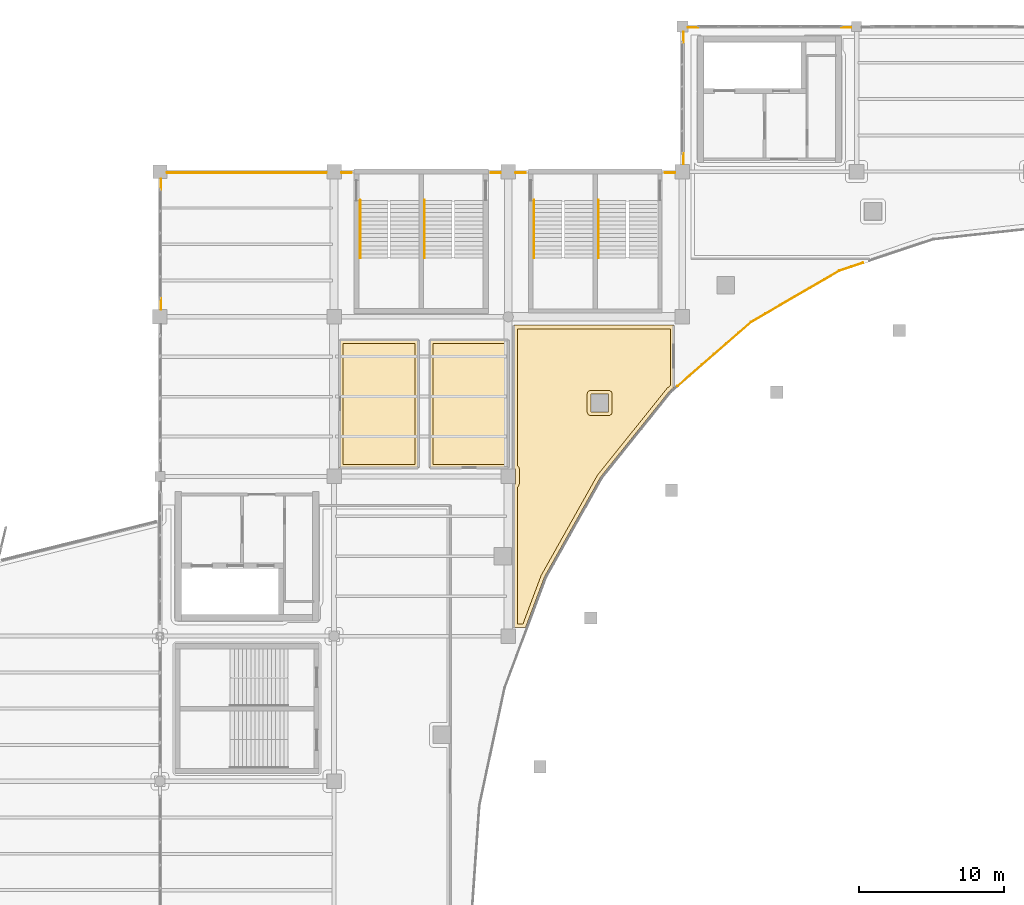
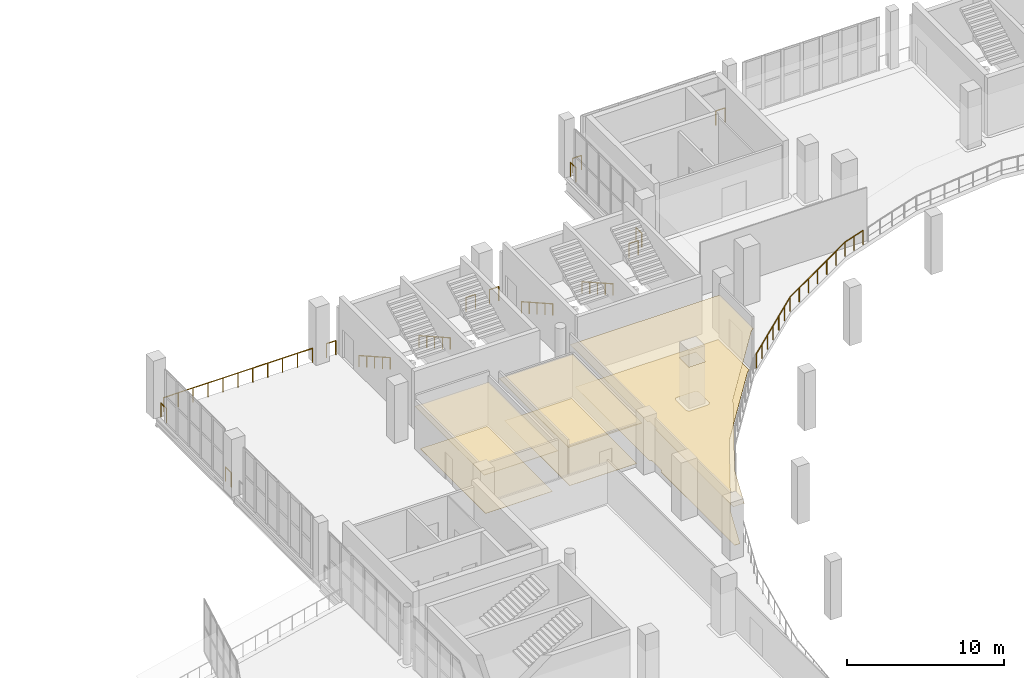
# One storey, part 102 of 108: 16 railings, 6 coverings.
"""IFC4 building model written with IfcOpenShell, lengths in metres."""

from ifc_helpers import new_model, si_unit, direction, frame, origin, origin_2d, place, context, subcontext, project, spatial, polyline, circle, outline, extrude, material, layer, layer_set, type_object, element, save


model = new_model("IFC4")

# Units and contexts
model_context = context("Model", 3, precision=1e-05, world=origin(), true_north=direction((0.0, 1.0)))
body_context = subcontext(model_context, "Body", "Model", "MODEL_VIEW")
ifc_project = project(units=[si_unit("LENGTHUNIT", "METRE"), si_unit("AREAUNIT", "SQUARE_METRE"), si_unit("VOLUMEUNIT", "CUBIC_METRE"), si_unit("PLANEANGLEUNIT", "RADIAN"), si_unit("MASSUNIT", "GRAM", prefix="KILO")], contexts=[model_context])

# Site, building, storey
site_placement = place(None, origin())
site = spatial("IfcSite", under=ifc_project, at=site_placement, CompositionType="ELEMENT")
building_placement = place(site_placement, origin())
building = spatial("IfcBuilding", under=site, at=building_placement, Name="Brinegate Civic Arena", CompositionType="ELEMENT")
storey_placement = place(building_placement, frame((0.0, 0.0, 10.199951171875)))
storey = spatial("IfcBuildingStorey", under=building, at=storey_placement, Name="L02", CompositionType="ELEMENT", Elevation=10.199951171875)

# Coverings
ifc_material_1 = material(Name="Acoustic perforated aluminium ceiling", Category="aluminium")
ifc_layer_1 = layer(ifc_material_1, 0.034912109375, Name="Acoustic perforated aluminium ceiling")
ifc_layer_set_1 = layer_set([ifc_layer_1], Name="Acoustic perforated aluminium ceiling")
covering_type_1 = type_object("IfcCoveringType", Name="CEILING-ACOUSTIC-35", PredefinedType="CEILING", material=ifc_layer_set_1)
covering_1_placement = place(storey_placement, frame((0.0, 0.0, 3.215087890625)))
element("IfcCovering", 1, at=covering_1_placement, inside=storey, type_object=covering_type_1, Name="Acoustic Ceiling L02-008", PredefinedType="CEILING", context=body_context, shape_type="SweptSolid", body=[
    extrude(outline(polyline([(65.803955078125, 102.419921875), (65.805908203125, 102.4189453125), (65.80810546875, 102.41796875), (65.80908203125, 102.41796875), (65.81103515625, 102.4169921875), (65.81298828125, 102.4150390625), (65.81396484375, 102.4140625), (65.81494140625, 102.4130859375), (65.81689453125, 102.410888671875), (65.818115234375, 102.408935546875), (65.818115234375, 102.407958984375), (65.819091796875, 102.406005859375), (65.820068359375, 102.404052734375), (65.820068359375, 102.402099609375), (65.820068359375, 102.39990234375), (65.820068359375, 93.60009765625), (65.820068359375, 93.597900390625), (65.820068359375, 93.595947265625), (65.819091796875, 93.593994140625), (65.818115234375, 93.592041015625), (65.818115234375, 93.591064453125), (65.81689453125, 93.589111328125), (65.81494140625, 93.5869140625), (65.81396484375, 93.5859375), (65.81298828125, 93.5849609375), (65.81103515625, 93.5830078125), (65.80908203125, 93.58203125), (65.80810546875, 93.58203125), (65.805908203125, 93.5810546875), (65.803955078125, 93.580078125), (65.802001953125, 93.580078125), (65.800048828125, 93.580078125), (60.39990234375, 93.580078125), (60.39794921875, 93.580078125), (60.39599609375, 93.580078125), (60.39404296875, 93.5810546875), (60.39208984375, 93.58203125), (60.39111328125, 93.58203125), (60.388916015625, 93.5830078125), (60.386962890625, 93.5849609375), (60.385986328125, 93.5859375), (60.385009765625, 93.5869140625), (60.383056640625, 93.589111328125), (60.382080078125, 93.591064453125), (60.382080078125, 93.592041015625), (60.381103515625, 93.593994140625), (60.3798828125, 93.595947265625), (60.3798828125, 93.597900390625), (60.3798828125, 93.60009765625), (60.3798828125, 102.39990234375), (60.3798828125, 102.402099609375), (60.3798828125, 102.404052734375), (60.381103515625, 102.406005859375), (60.382080078125, 102.407958984375), (60.382080078125, 102.408935546875), (60.383056640625, 102.410888671875), (60.385009765625, 102.4130859375), (60.385986328125, 102.4140625), (60.386962890625, 102.4150390625), (60.388916015625, 102.4169921875), (60.39111328125, 102.41796875), (60.39208984375, 102.41796875), (60.39404296875, 102.4189453125), (60.39599609375, 102.419921875), (60.39794921875, 102.419921875), (60.39990234375, 102.419921875), (65.800048828125, 102.419921875), (65.802001953125, 102.419921875), (65.803955078125, 102.419921875)])), origin(), (0.0, 0.0, 1.0), 0.034912109375),
])
ifc_layer_2 = layer(ifc_material_1, 0.044921875, Name="Acoustic perforated aluminium ceiling")
ifc_layer_set_2 = layer_set([ifc_layer_2], Name="Acoustic perforated aluminium ceiling")
covering_type_2 = type_object("IfcCoveringType", Name="CEILING-BAFFLE-45", PredefinedType="CEILING", material=ifc_layer_set_2)
covering_2_placement = place(storey_placement, frame((0.0, 0.0, 3.205078125)))
element("IfcCovering", 2, at=covering_2_placement, inside=storey, type_object=covering_type_2, Name="Acoustic Ceiling L02-009", PredefinedType="CEILING", context=body_context, shape_type="SweptSolid", body=[
    extrude(outline(polyline([(72.00390625, 102.419921875), (72.006103515625, 102.4189453125), (72.008056640625, 102.41796875), (72.009033203125, 102.41796875), (72.010986328125, 102.4169921875), (72.012939453125, 102.4150390625), (72.013916015625, 102.4140625), (72.014892578125, 102.4130859375), (72.01708984375, 102.410888671875), (72.01806640625, 102.408935546875), (72.01806640625, 102.407958984375), (72.01904296875, 102.406005859375), (72.02001953125, 102.404052734375), (72.02001953125, 102.402099609375), (72.02001953125, 102.39990234375), (72.02001953125, 93.60009765625), (72.02001953125, 93.597900390625), (72.02001953125, 93.595947265625), (72.01904296875, 93.593994140625), (72.01806640625, 93.592041015625), (72.01806640625, 93.591064453125), (72.01708984375, 93.589111328125), (72.014892578125, 93.5869140625), (72.013916015625, 93.5859375), (72.012939453125, 93.5849609375), (72.010986328125, 93.5830078125), (72.009033203125, 93.58203125), (72.008056640625, 93.58203125), (72.006103515625, 93.5810546875), (72.00390625, 93.580078125), (72.001953125, 93.580078125), (72.0, 93.580078125), (66.60009765625, 93.580078125), (66.597900390625, 93.580078125), (66.595947265625, 93.580078125), (66.593994140625, 93.5810546875), (66.592041015625, 93.58203125), (66.591064453125, 93.58203125), (66.589111328125, 93.5830078125), (66.5869140625, 93.5849609375), (66.5859375, 93.5859375), (66.5849609375, 93.5869140625), (66.5830078125, 93.589111328125), (66.58203125, 93.591064453125), (66.58203125, 93.592041015625), (66.5810546875, 93.593994140625), (66.580078125, 93.595947265625), (66.580078125, 93.597900390625), (66.580078125, 93.60009765625), (66.580078125, 102.39990234375), (66.580078125, 102.402099609375), (66.580078125, 102.404052734375), (66.5810546875, 102.406005859375), (66.58203125, 102.407958984375), (66.58203125, 102.408935546875), (66.5830078125, 102.410888671875), (66.5849609375, 102.4130859375), (66.5859375, 102.4140625), (66.5869140625, 102.4150390625), (66.589111328125, 102.4169921875), (66.591064453125, 102.41796875), (66.592041015625, 102.41796875), (66.593994140625, 102.4189453125), (66.595947265625, 102.419921875), (66.597900390625, 102.419921875), (66.60009765625, 102.419921875), (72.0, 102.419921875), (72.001953125, 102.419921875), (72.00390625, 102.419921875)])), origin(), (0.0, 0.0, 1.0), 0.044921875),
])
ifc_layer_3 = layer(ifc_material_1, 0.01806640625, Name="Acoustic perforated aluminium ceiling")
ifc_layer_set_3 = layer_set([ifc_layer_3], Name="Acoustic perforated aluminium ceiling")
covering_type_3 = type_object("IfcCoveringType", Name="CEILING-MOISTURE-18", PredefinedType="CEILING", material=ifc_layer_set_3)
covering_3_placement = place(storey_placement, frame((0.0, 0.0, 3.23193359375)))
element("IfcCovering", 3, at=covering_3_placement, inside=storey, type_object=covering_type_3, Name="Acoustic Ceiling L02-010", PredefinedType="CEILING", context=body_context, shape_type="SweptSolid", body=[
    extrude(outline(polyline([(72.3798828125, 103.404052734375), (72.381103515625, 103.406005859375), (72.382080078125, 103.407958984375), (72.382080078125, 103.408935546875), (72.383056640625, 103.410888671875), (72.385009765625, 103.4130859375), (72.385986328125, 103.4140625), (72.386962890625, 103.4150390625), (72.388916015625, 103.4169921875), (72.39111328125, 103.41796875), (72.39208984375, 103.41796875), (72.39404296875, 103.4189453125), (72.39599609375, 103.419921875), (72.39794921875, 103.419921875), (72.39990234375, 103.419921875), (83.39990234375, 103.419921875), (83.402099609375, 103.419921875), (83.404052734375, 103.419921875), (83.406005859375, 103.4189453125), (83.407958984375, 103.41796875), (83.408935546875, 103.41796875), (83.410888671875, 103.4169921875), (83.4130859375, 103.4150390625), (83.4140625, 103.4140625), (83.4150390625, 103.4130859375), (83.4169921875, 103.410888671875), (83.41796875, 103.408935546875), (83.41796875, 103.407958984375), (83.4189453125, 103.406005859375), (83.419921875, 103.404052734375), (83.419921875, 103.402099609375), (83.419921875, 103.39990234375), (83.419921875, 99.1640625), (83.419921875, 99.162109375), (83.419921875, 99.159912109375), (83.4189453125, 99.157958984375), (83.4189453125, 99.156982421875), (83.41796875, 99.155029296875), (83.4169921875, 99.153076171875), (83.416015625, 99.152099609375), (83.4150390625, 99.14990234375), (83.4130859375, 99.14892578125), (83.135009765625, 98.906982421875), (83.112060546875, 98.882080078125), (78.35791015625, 92.955078125), (74.4951171875, 86.075927734375), (73.19189453125, 82.593017578125), (73.19091796875, 82.591064453125), (73.18994140625, 82.589111328125), (73.18896484375, 82.587890625), (73.18701171875, 82.5859375), (73.18603515625, 82.5849609375), (73.18408203125, 82.583984375), (73.18310546875, 82.58203125), (73.180908203125, 82.58203125), (73.178955078125, 82.5810546875), (73.177001953125, 82.580078125), (73.175048828125, 82.580078125), (73.173095703125, 82.580078125), (72.39990234375, 82.580078125), (72.39794921875, 82.580078125), (72.39599609375, 82.580078125), (72.39404296875, 82.5810546875), (72.39208984375, 82.58203125), (72.39111328125, 82.58203125), (72.388916015625, 82.5830078125), (72.386962890625, 82.5849609375), (72.385986328125, 82.5859375), (72.385009765625, 82.5869140625), (72.383056640625, 82.589111328125), (72.382080078125, 82.591064453125), (72.382080078125, 82.592041015625), (72.381103515625, 82.593994140625), (72.3798828125, 82.595947265625), (72.3798828125, 82.597900390625), (72.3798828125, 82.60009765625), (72.3798828125, 92.489990234375), (72.510009765625, 92.489990234375), (72.510009765625, 93.510009765625), (72.3798828125, 93.510009765625), (72.3798828125, 103.39990234375), (72.3798828125, 103.402099609375), (72.3798828125, 103.404052734375)]), holes=[polyline([(77.69189453125, 98.672119140625), (77.69189453125, 97.451904296875), (78.912109375, 97.451904296875), (78.912109375, 98.672119140625), (77.69189453125, 98.672119140625)])]), origin(), (0.0, 0.0, 1.0), 0.01806640625),
])
ifc_material_2 = material(Name="Polished coral terrazzo flooring")
ifc_layer_4 = layer(ifc_material_2, 0.013916015625, Name="Polished coral terrazzo flooring")
ifc_layer_set_4 = layer_set([ifc_layer_4], Name="Polished coral terrazzo flooring")
covering_type_4 = type_object("IfcCoveringType", Name="FLOORING-ACOUSTIC-14", PredefinedType="FLOORING", material=ifc_layer_set_4)
covering_4_placement = place(storey_placement, origin())
element("IfcCovering", 4, at=covering_4_placement, inside=storey, type_object=covering_type_4, Name="Flooring L02-010", PredefinedType="FLOORING", context=body_context, shape_type="SweptSolid", body=[
    extrude(outline(polyline([(72.6298828125, 82.830078125), (72.6298828125, 92.27099609375), (72.64892578125, 92.281982421875), (72.6689453125, 92.297119140625), (72.68701171875, 92.31298828125), (72.702880859375, 92.3310546875), (72.718017578125, 92.35107421875), (72.72998046875, 92.3720703125), (72.740966796875, 92.39404296875), (72.7490234375, 92.4169921875), (72.7548828125, 92.44091796875), (72.759033203125, 92.465087890625), (72.760009765625, 92.489990234375), (72.760009765625, 93.510009765625), (72.759033203125, 93.534912109375), (72.7548828125, 93.55908203125), (72.7490234375, 93.5830078125), (72.740966796875, 93.60595703125), (72.72998046875, 93.6279296875), (72.718017578125, 93.64892578125), (72.702880859375, 93.6689453125), (72.68701171875, 93.68701171875), (72.6689453125, 93.702880859375), (72.64892578125, 93.718017578125), (72.6298828125, 93.72900390625), (72.6298828125, 103.169921875), (83.169921875, 103.169921875), (83.169921875, 99.26904296875), (82.970947265625, 99.094970703125), (82.950927734375, 99.075927734375), (82.927978515625, 99.052001953125), (82.9169921875, 99.0380859375), (78.1630859375, 93.111083984375), (78.14990234375, 93.094970703125), (78.139892578125, 93.076904296875), (74.277099609375, 86.197998046875), (74.26806640625, 86.180908203125), (74.260986328125, 86.1630859375), (73.013916015625, 82.830078125), (72.6298828125, 82.830078125)]), holes=[polyline([(77.69189453125, 98.922119140625), (77.6669921875, 98.9208984375), (77.64306640625, 98.9169921875), (77.618896484375, 98.910888671875), (77.595947265625, 98.903076171875), (77.573974609375, 98.89208984375), (77.552978515625, 98.8798828125), (77.532958984375, 98.864990234375), (77.514892578125, 98.84912109375), (77.4990234375, 98.8310546875), (77.48388671875, 98.81103515625), (77.471923828125, 98.7900390625), (77.4609375, 98.76806640625), (77.452880859375, 98.7451171875), (77.447021484375, 98.720947265625), (77.443115234375, 98.697021484375), (77.44189453125, 98.672119140625), (77.44189453125, 97.451904296875), (77.443115234375, 97.427001953125), (77.447021484375, 97.403076171875), (77.452880859375, 97.37890625), (77.4609375, 97.35595703125), (77.471923828125, 97.333984375), (77.48388671875, 97.31298828125), (77.4990234375, 97.29296875), (77.514892578125, 97.27490234375), (77.532958984375, 97.259033203125), (77.552978515625, 97.243896484375), (77.573974609375, 97.23193359375), (77.595947265625, 97.220947265625), (77.618896484375, 97.212890625), (77.64306640625, 97.20703125), (77.6669921875, 97.202880859375), (77.69189453125, 97.201904296875), (78.912109375, 97.201904296875), (78.93701171875, 97.202880859375), (78.9609375, 97.20703125), (78.985107421875, 97.212890625), (79.008056640625, 97.220947265625), (79.030029296875, 97.23193359375), (79.051025390625, 97.243896484375), (79.071044921875, 97.259033203125), (79.089111328125, 97.27490234375), (79.10498046875, 97.29296875), (79.1201171875, 97.31298828125), (79.132080078125, 97.333984375), (79.14306640625, 97.35595703125), (79.15087890625, 97.37890625), (79.156982421875, 97.403076171875), (79.160888671875, 97.427001953125), (79.162109375, 97.451904296875), (79.162109375, 98.672119140625), (79.160888671875, 98.697021484375), (79.156982421875, 98.720947265625), (79.15087890625, 98.7451171875), (79.14306640625, 98.76806640625), (79.132080078125, 98.7900390625), (79.1201171875, 98.81103515625), (79.10498046875, 98.8310546875), (79.089111328125, 98.84912109375), (79.071044921875, 98.864990234375), (79.051025390625, 98.8798828125), (79.030029296875, 98.89208984375), (79.008056640625, 98.903076171875), (78.985107421875, 98.910888671875), (78.9609375, 98.9169921875), (78.93701171875, 98.9208984375), (78.912109375, 98.922119140625), (77.69189453125, 98.922119140625)])]), origin(), (0.0, 0.0, 1.0), 0.01416015625),
])
ifc_material_3 = material(Name="Slip-resistant porcelain tile flooring")
ifc_layer_5 = layer(ifc_material_3, 0.02001953125, Name="Slip-resistant porcelain tile flooring")
ifc_layer_set_5 = layer_set([ifc_layer_5], Name="Slip-resistant porcelain tile flooring")
covering_type_5 = type_object("IfcCoveringType", Name="FLOORING-PORCELAIN-20", PredefinedType="FLOORING", material=ifc_layer_set_5)
covering_5_placement = place(storey_placement, origin())
element("IfcCovering", 5, at=covering_5_placement, inside=storey, type_object=covering_type_5, Name="Flooring L02-008", PredefinedType="FLOORING", context=body_context, shape_type="SweptSolid", body=[
    extrude(outline(polyline([(60.6298828125, 93.830078125), (60.6298828125, 102.169921875), (65.570068359375, 102.169921875), (65.570068359375, 93.830078125), (60.6298828125, 93.830078125)])), origin(), (0.0, 0.0, 1.0), 0.02001953125),
])
covering_6_placement = place(storey_placement, origin())
element("IfcCovering", 6, at=covering_6_placement, inside=storey, type_object=covering_type_5, Name="Flooring L02-009", PredefinedType="FLOORING", context=body_context, shape_type="SweptSolid", body=[
    extrude(outline(polyline([(66.830078125, 93.830078125), (66.830078125, 102.169921875), (71.77001953125, 102.169921875), (71.77001953125, 93.830078125), (66.830078125, 93.830078125)])), origin(), (0.0, 0.0, 1.0), 0.02001953125),
])

# Railings
ifc_material_4 = material(Name="Architectural stainless steel balustrade", Category="steel")
railing_type_1 = type_object("IfcRailingType", Name="RAIL-STAIR-HANDRAIL-900", PredefinedType="HANDRAIL", material=ifc_material_4)
for number, where, name in (
    (7, (61.804931640625, 108.0400390625, 2.25), "Stair Pitch Handrail ST-01A L02"),
    (8, (66.22509765625, 108.0400390625, 2.25), "Stair Pitch Handrail ST-01B L02"),
    (9, (73.77490234375, 108.0400390625, 2.25), "Stair Pitch Handrail ST-11A L02"),
    (10, (78.22509765625, 108.0400390625, 2.25), "Stair Pitch Handrail ST-11B L02"),
):
    element("IfcRailing", number, at=place(storey_placement, frame(where)), inside=storey, type_object=railing_type_1, Name=name, PredefinedType="HANDRAIL", context=body_context, shape_type="SweptSolid", body=[
        extrude(circle(Radius=0.02392578125, at=origin_2d()), frame((0.0, 0.001220703125, 0.875), z_axis=(0.0, 0.871049806155, -0.491194701923), x_axis=(-1.0, 0.0, 0.0)), (0.0, 0.0, 1.0), 4.57763671875),
        extrude(circle(Radius=0.02099609375, at=origin_2d()), origin(), (0.0, 0.0, 1.0), 0.849853515625),
        extrude(circle(Radius=0.02099609375, at=origin_2d()), frame((0.0, 0.99755859375, -0.5625)), (0.0, 0.0, 1.0), 0.849853515625),
        extrude(circle(Radius=0.02099609375, at=origin_2d()), frame((0.0, 1.9951171875, -1.125)), (0.0, 0.0, 1.0), 0.849853515625),
        extrude(circle(Radius=0.02099609375, at=origin_2d()), frame((0.0, 2.992431640625, -1.6875)), (0.0, 0.0, 1.0), 0.849853515625),
        extrude(circle(Radius=0.02099609375, at=origin_2d()), frame((0.0, 3.989990234375, -2.25)), (0.0, 0.0, 1.0), 0.849853515625),
    ])
railing_type_2 = type_object("IfcRailingType", Name="RAIL-VOID-BALUSTRADE-1120", PredefinedType="BALUSTRADE", material=ifc_material_4)
railing_1_placement = place(storey_placement, frame((48.070068359375, 104.52001953125, 0.0)))
element("IfcRailing", 11, at=railing_1_placement, inside=storey, type_object=railing_type_2, Name="Deck Edge Balustrade L02-134", PredefinedType="BALUSTRADE", context=body_context, shape_type="SweptSolid", body=[
    extrude(circle(Radius=0.02392578125, at=origin_2d()), frame((0.0, 0.00146484375, 1.09619140625), z_axis=(0.0, 1.0, 0.0), x_axis=(-1.0, 0.0, 0.0)), (0.0, 0.0, 1.0), 0.734130859375),
    extrude(circle(Radius=0.02099609375, at=origin_2d()), origin(), (0.0, 0.0, 1.0), 1.070068359375),
    extrude(circle(Radius=0.02099609375, at=origin_2d()), frame((0.0, 0.737060546875, 0.0)), (0.0, 0.0, 1.0), 1.070068359375),
])
railing_2_placement = place(storey_placement, frame((48.070068359375, 112.778076171875, 0.0)))
element("IfcRailing", 12, at=railing_2_placement, inside=storey, type_object=railing_type_2, Name="Deck Edge Balustrade L02-135", PredefinedType="BALUSTRADE", context=body_context, shape_type="SweptSolid", body=[
    extrude(circle(Radius=0.02392578125, at=origin_2d()), frame((0.0, 0.00146484375, 1.09619140625), z_axis=(0.0, 1.0, 0.0), x_axis=(-1.0, 0.0, 0.0)), (0.0, 0.0, 1.0), 0.723876953125),
    extrude(circle(Radius=0.02099609375, at=origin_2d()), origin(), (0.0, 0.0, 1.0), 1.070068359375),
    extrude(circle(Radius=0.02099609375, at=origin_2d()), frame((0.0, 0.726806640625, 0.0)), (0.0, 0.0, 1.0), 1.070068359375),
])
railing_3_placement = place(storey_placement, frame((48.4951171875, 113.929931640625, 0.0)))
element("IfcRailing", 13, at=railing_3_placement, inside=storey, type_object=railing_type_2, Name="Deck Edge Balustrade L02-136", PredefinedType="BALUSTRADE", context=body_context, shape_type="SweptSolid", body=[
    extrude(circle(Radius=0.02392578125, at=origin_2d()), frame((0.00146484375, 0.0, 1.09619140625), z_axis=(1.0, 0.0, 0.0), x_axis=(0.0, 1.0, 0.0)), (0.0, 0.0, 1.0), 10.98193359375),
    extrude(circle(Radius=0.02099609375, at=origin_2d()), origin(), (0.0, 0.0, 1.0), 1.070068359375),
    extrude(circle(Radius=0.02099609375, at=origin_2d()), frame((1.098388671875, 0.0, 0.0)), (0.0, 0.0, 1.0), 1.070068359375),
    extrude(circle(Radius=0.02099609375, at=origin_2d()), frame((2.197021484375, 0.0, 0.0)), (0.0, 0.0, 1.0), 1.070068359375),
    extrude(circle(Radius=0.02099609375, at=origin_2d()), frame((3.29541015625, 0.0, 0.0)), (0.0, 0.0, 1.0), 1.070068359375),
    extrude(circle(Radius=0.02099609375, at=origin_2d()), frame((4.39404296875, 0.0, 0.0)), (0.0, 0.0, 1.0), 1.070068359375),
    extrude(circle(Radius=0.02099609375, at=origin_2d()), frame((5.492431640625, 0.0, 0.0)), (0.0, 0.0, 1.0), 1.070068359375),
    extrude(circle(Radius=0.02099609375, at=origin_2d()), frame((6.5908203125, 0.0, 0.0)), (0.0, 0.0, 1.0), 1.070068359375),
    extrude(circle(Radius=0.02099609375, at=origin_2d()), frame((7.689453125, 0.0, 0.0)), (0.0, 0.0, 1.0), 1.070068359375),
    extrude(circle(Radius=0.02099609375, at=origin_2d()), frame((8.787841796875, 0.0, 0.0)), (0.0, 0.0, 1.0), 1.070068359375),
    extrude(circle(Radius=0.02099609375, at=origin_2d()), frame((9.886474609375, 0.0, 0.0)), (0.0, 0.0, 1.0), 1.070068359375),
    extrude(circle(Radius=0.02099609375, at=origin_2d()), frame((10.98486328125, 0.0, 0.0)), (0.0, 0.0, 1.0), 1.070068359375),
])
for number, where, name in (
    (14, (60.52001953125, 113.929931640625, 0.0), "Deck Edge Balustrade L02-137"),
    (15, (70.800048828125, 113.929931640625, 0.0), "Deck Edge Balustrade L02-138"),
    (16, (72.52001953125, 113.929931640625, 0.0), "Deck Edge Balustrade L02-139"),
    (17, (82.800048828125, 113.929931640625, 0.0), "Deck Edge Balustrade L02-140"),
):
    element("IfcRailing", number, at=place(storey_placement, frame(where)), inside=storey, type_object=railing_type_2, Name=name, PredefinedType="BALUSTRADE", context=body_context, shape_type="SweptSolid", body=[
        extrude(circle(Radius=0.02392578125, at=origin_2d()), frame((0.00146484375, 0.0, 1.09619140625), z_axis=(1.0, 0.0, 0.0), x_axis=(0.0, 1.0, 0.0)), (0.0, 0.0, 1.0), 0.677001953125),
        extrude(circle(Radius=0.02099609375, at=origin_2d()), origin(), (0.0, 0.0, 1.0), 1.070068359375),
        extrude(circle(Radius=0.02099609375, at=origin_2d()), frame((0.679931640625, 0.0, 0.0)), (0.0, 0.0, 1.0), 1.070068359375),
    ])
railing_4_placement = place(storey_placement, frame((84.070068359375, 114.52001953125, 0.0)))
element("IfcRailing", 18, at=railing_4_placement, inside=storey, type_object=railing_type_2, Name="Deck Edge Balustrade L02-141", PredefinedType="BALUSTRADE", context=body_context, shape_type="SweptSolid", body=[
    extrude(circle(Radius=0.02392578125, at=origin_2d()), frame((0.0, 0.00146484375, 1.09619140625), z_axis=(0.0, 1.0, 0.0), x_axis=(-1.0, 0.0, 0.0)), (0.0, 0.0, 1.0), 0.734130859375),
    extrude(circle(Radius=0.02099609375, at=origin_2d()), origin(), (0.0, 0.0, 1.0), 1.070068359375),
    extrude(circle(Radius=0.02099609375, at=origin_2d()), frame((0.0, 0.737060546875, 0.0)), (0.0, 0.0, 1.0), 1.070068359375),
])
railing_5_placement = place(storey_placement, frame((84.070068359375, 122.919921875, 0.0)))
element("IfcRailing", 19, at=railing_5_placement, inside=storey, type_object=railing_type_2, Name="Deck Edge Balustrade L02-142", PredefinedType="BALUSTRADE", context=body_context, shape_type="SweptSolid", body=[
    extrude(circle(Radius=0.02392578125, at=origin_2d()), frame((0.0, 0.00146484375, 1.09619140625), z_axis=(0.0, 1.0, 0.0), x_axis=(-1.0, 0.0, 0.0)), (0.0, 0.0, 1.0), 0.68212890625),
    extrude(circle(Radius=0.02099609375, at=origin_2d()), origin(), (0.0, 0.0, 1.0), 1.070068359375),
    extrude(circle(Radius=0.02099609375, at=origin_2d()), frame((0.0, 0.68505859375, 0.0)), (0.0, 0.0, 1.0), 1.070068359375),
])
railing_6_placement = place(storey_placement, frame((84.39501953125, 123.929931640625, 0.0)))
element("IfcRailing", 20, at=railing_6_placement, inside=storey, type_object=railing_type_2, Name="Deck Edge Balustrade L02-143", PredefinedType="BALUSTRADE", context=body_context, shape_type="SweptSolid", body=[
    extrude(circle(Radius=0.02392578125, at=origin_2d()), frame((0.00146484375, 0.0, 1.09619140625), z_axis=(1.0, 0.0, 0.0), x_axis=(0.0, 1.0, 0.0)), (0.0, 0.0, 1.0), 0.68212890625),
    extrude(circle(Radius=0.02099609375, at=origin_2d()), origin(), (0.0, 0.0, 1.0), 1.070068359375),
    extrude(circle(Radius=0.02099609375, at=origin_2d()), frame((0.68505859375, 0.0, 0.0)), (0.0, 0.0, 1.0), 1.070068359375),
])
railing_7_placement = place(storey_placement, frame((94.955078125, 123.929931640625, 0.0)))
element("IfcRailing", 21, at=railing_7_placement, inside=storey, type_object=railing_type_2, Name="Deck Edge Balustrade L02-144", PredefinedType="BALUSTRADE", context=body_context, shape_type="SweptSolid", body=[
    extrude(circle(Radius=0.02392578125, at=origin_2d()), frame((0.00146484375, 0.0, 1.09619140625), z_axis=(1.0, 0.0, 0.0), x_axis=(0.0, 1.0, 0.0)), (0.0, 0.0, 1.0), 0.671875),
    extrude(circle(Radius=0.02099609375, at=origin_2d()), origin(), (0.0, 0.0, 1.0), 1.070068359375),
    extrude(circle(Radius=0.02099609375, at=origin_2d()), frame((0.6748046875, 0.0, 0.0)), (0.0, 0.0, 1.0), 1.070068359375),
])
railing_8_placement = place(storey_placement, frame((96.451904296875, 107.719970703125, 0.0)))
element("IfcRailing", 22, at=railing_8_placement, inside=storey, type_object=railing_type_2, Name="Deck Edge Balustrade L02-207", PredefinedType="BALUSTRADE", context=body_context, shape_type="SweptSolid", body=[
    extrude(circle(Radius=0.02392578125, at=origin_2d()), frame((-0.00146484375, -0.00048828125, 1.09619140625), z_axis=(-0.948372593194, -0.317158358676, 0.0), x_axis=(0.317158358676, -0.948372593194, 0.0)), (0.0, 0.0, 1.0), 1.728271484375),
    extrude(circle(Radius=0.02392578125, at=origin_2d()), frame((-1.64306640625, -0.5498046875, 1.09619140625), z_axis=(-0.864665689631, -0.502347733323, 0.0), x_axis=(0.502347733323, -0.864665689631, 0.0)), (0.0, 0.0, 1.0), 7.0458984375),
    extrude(circle(Radius=0.02392578125, at=origin_2d()), frame((-7.738037109375, -4.091064453125, 1.09619140625), z_axis=(-0.753463157109, -0.657490129872, 0.0), x_axis=(0.657490129872, -0.753463157109, 0.0)), (0.0, 0.0, 1.0), 6.6796875),
    extrude(circle(Radius=0.02099609375, at=origin_2d()), origin(), (0.0, 0.0, 1.0), 1.070068359375),
    extrude(circle(Radius=0.02099609375, at=origin_2d()), frame((-0.82080078125, -0.2744140625, 0.0)), (0.0, 0.0, 1.0), 1.070068359375),
    extrude(circle(Radius=0.02099609375, at=origin_2d()), frame((-1.641845703125, -0.549072265625, 0.0)), (0.0, 0.0, 1.0), 1.070068359375),
    extrude(circle(Radius=0.02099609375, at=origin_2d()), frame((-2.65771484375, -1.13916015625, 0.0)), (0.0, 0.0, 1.0), 1.070068359375),
    extrude(circle(Radius=0.02099609375, at=origin_2d()), frame((-3.673583984375, -1.7294921875, 0.0)), (0.0, 0.0, 1.0), 1.070068359375),
    extrude(circle(Radius=0.02099609375, at=origin_2d()), frame((-4.689453125, -2.319580078125, 0.0)), (0.0, 0.0, 1.0), 1.070068359375),
    extrude(circle(Radius=0.02099609375, at=origin_2d()), frame((-5.705078125, -2.90966796875, 0.0)), (0.0, 0.0, 1.0), 1.070068359375),
    extrude(circle(Radius=0.02099609375, at=origin_2d()), frame((-6.720947265625, -3.5, 0.0)), (0.0, 0.0, 1.0), 1.070068359375),
    extrude(circle(Radius=0.02099609375, at=origin_2d()), frame((-7.73681640625, -4.090087890625, 0.0)), (0.0, 0.0, 1.0), 1.070068359375),
    extrude(circle(Radius=0.02099609375, at=origin_2d()), frame((-8.575927734375, -4.822265625, 0.0)), (0.0, 0.0, 1.0), 1.070068359375),
    extrude(circle(Radius=0.02099609375, at=origin_2d()), frame((-9.415283203125, -5.5546875, 0.0)), (0.0, 0.0, 1.0), 1.070068359375),
    extrude(circle(Radius=0.02099609375, at=origin_2d()), frame((-10.25439453125, -6.287109375, 0.0)), (0.0, 0.0, 1.0), 1.070068359375),
    extrude(circle(Radius=0.02099609375, at=origin_2d()), frame((-11.093505859375, -7.019287109375, 0.0)), (0.0, 0.0, 1.0), 1.070068359375),
    extrude(circle(Radius=0.02099609375, at=origin_2d()), frame((-11.932861328125, -7.75146484375, 0.0)), (0.0, 0.0, 1.0), 1.070068359375),
    extrude(circle(Radius=0.02099609375, at=origin_2d()), frame((-12.77197265625, -8.48388671875, 0.0)), (0.0, 0.0, 1.0), 1.070068359375),
])

save(model, "model.ifc")
